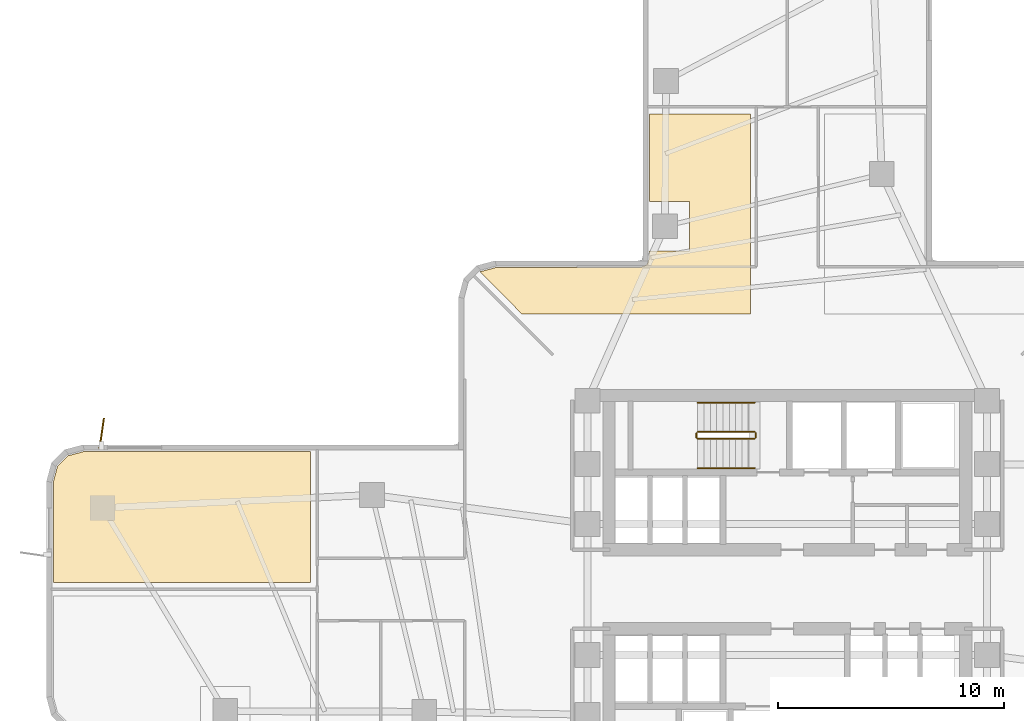
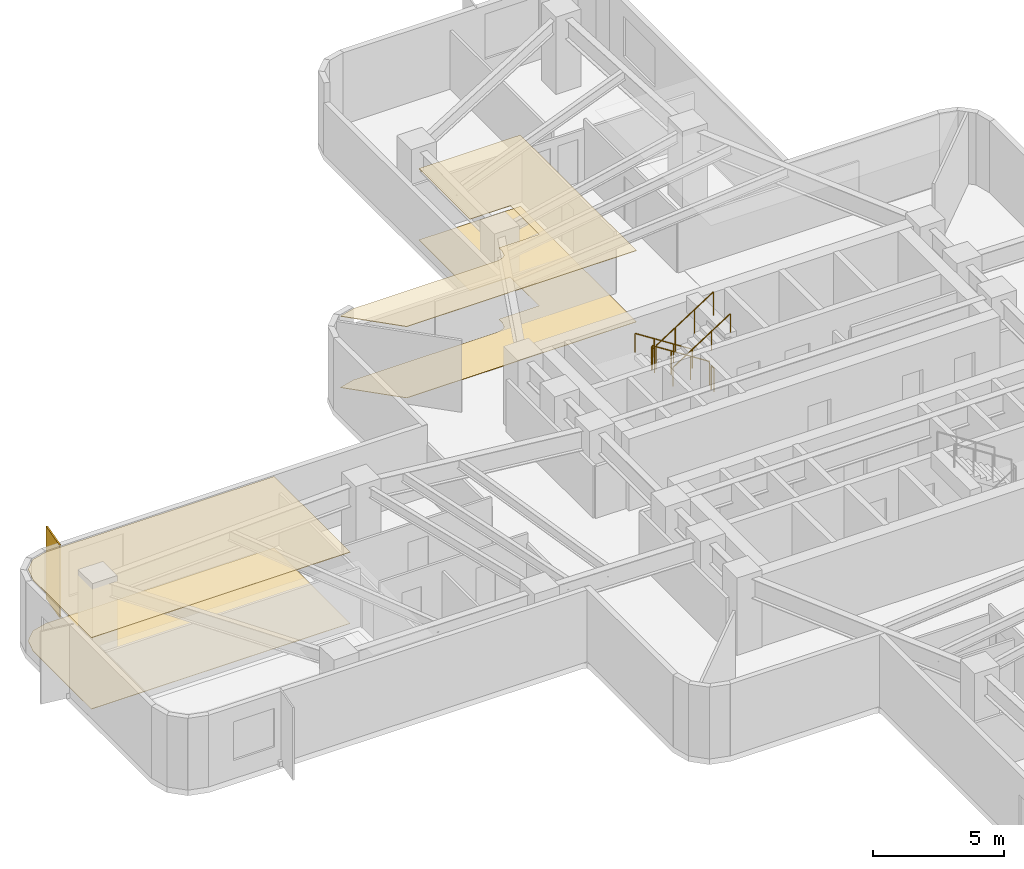
# One storey, part 8 of 9: 6 railings, 4 coverings, 1 shading device.
"""IFC4 building model written with IfcOpenShell, lengths in metres."""

from ifc_helpers import new_model, si_unit, direction, frame, origin, origin_2d, place, context, subcontext, project, spatial, polyline, rectangle, circle, outline, extrude, material, layer, layer_set, type_object, element, save


model = new_model("IFC4")

# Units and contexts
model_context = context("Model", 3, precision=1e-05, world=origin(), true_north=direction((0.0, 1.0)))
body_context = subcontext(model_context, "Body", "Model", "MODEL_VIEW")
ifc_project = project(units=[si_unit("LENGTHUNIT", "METRE"), si_unit("AREAUNIT", "SQUARE_METRE"), si_unit("VOLUMEUNIT", "CUBIC_METRE"), si_unit("PLANEANGLEUNIT", "RADIAN"), si_unit("MASSUNIT", "GRAM", prefix="KILO")], contexts=[model_context])

# Site, building, storey
site_placement = place(None, origin())
site = spatial("IfcSite", under=ifc_project, at=site_placement, CompositionType="ELEMENT")
building_placement = place(site_placement, origin())
building = spatial("IfcBuilding", under=site, at=building_placement, Name="Solmarez Civic Tower", CompositionType="ELEMENT")
storey_placement = place(building_placement, frame((0.0, 0.0, 28.080078125)))
storey = spatial("IfcBuildingStorey", under=building, at=storey_placement, Name="L06", CompositionType="ELEMENT", Elevation=28.080078125)

# Coverings
ifc_material_1 = material(Name="Perforated Mineral-Fibre Acoustic Ceiling")
ifc_layer_1 = layer(ifc_material_1, 0.02490234375)
ifc_layer_set_1 = layer_set([ifc_layer_1], Name="Perforated Mineral-Fibre Acoustic Ceiling")
covering_type_1 = type_object("IfcCoveringType", Name="COV-CEIL-ACOUSTIC", PredefinedType="CEILING", material=ifc_layer_set_1)
covering_1_placement = place(storey_placement, frame((0.0, 0.0, 3.31494140625)))
element("IfcCovering", 1, at=covering_1_placement, inside=storey, type_object=covering_type_1, Name="L06 Suspended Acoustic Ceiling 1", PredefinedType="CEILING", context=body_context, shape_type="SweptSolid", body=[
    extrude(outline(polyline([(-6.10009765625, 21.06005859375), (-6.10009765625, 17.176025390625), (-4.321044921875, 17.176025390625), (-4.321044921875, 14.97607421875), (-6.10009765625, 14.97607421875), (-6.10009765625, 14.75390625), (-6.10205078125, 14.722900390625), (-6.10302734375, 14.716064453125), (-6.10888671875, 14.68701171875), (-6.111083984375, 14.681884765625), (-6.154052734375, 14.51806640625), (-6.1650390625, 14.487060546875), (-6.174072265625, 14.466064453125), (-6.18310546875, 14.447998046875), (-6.193115234375, 14.430908203125), (-6.197021484375, 14.425048828125), (-6.2109375, 14.406005859375), (-6.216064453125, 14.39990234375), (-6.22900390625, 14.385009765625), (-6.235107421875, 14.37890625), (-6.25, 14.365966796875), (-6.256103515625, 14.361083984375), (-6.27490234375, 14.346923828125), (-6.281005859375, 14.343017578125), (-6.298095703125, 14.3330078125), (-6.31591796875, 14.323974609375), (-6.322998046875, 14.321044921875), (-6.330078125, 14.318115234375), (-6.3369140625, 14.31494140625), (-6.367919921875, 14.303955078125), (-6.531982421875, 14.260986328125), (-6.537109375, 14.259033203125), (-6.56591796875, 14.2529296875), (-6.572998046875, 14.251953125), (-6.60400390625, 14.25), (-12.909912109375, 14.25), (-13.594970703125, 14.06689453125), (-13.60009765625, 14.06201171875), (-11.758056640625, 12.199951171875), (-1.639892578125, 12.199951171875), (-1.639892578125, 21.06005859375), (-6.10009765625, 21.06005859375)])), origin(), (0.0, 0.0, 1.0), 0.02490234375),
])
covering_2_placement = place(storey_placement, frame((0.0, 0.0, 3.31494140625)))
element("IfcCovering", 2, at=covering_2_placement, inside=storey, type_object=covering_type_1, Name="L06 Suspended Acoustic Ceiling 4", PredefinedType="CEILING", context=body_context, shape_type="SweptSolid", body=[
    extrude(outline(polyline([(-21.110107421875, 6.10009765625), (-31.159912109375, 6.10009765625), (-31.844970703125, 5.9169921875), (-32.31689453125, 5.445068359375), (-32.5, 4.760009765625), (-32.5, 0.300048828125), (-21.110107421875, 0.300048828125), (-21.110107421875, 6.10009765625)])), origin(), (0.0, 0.0, 1.0), 0.02490234375),
])
ifc_material_2 = material(Name="Polished Tropical Stone Terrazzo Flooring", Category="masonry")
ifc_layer_2 = layer(ifc_material_2, 0.02001953125)
ifc_layer_set_2 = layer_set([ifc_layer_2], Name="Polished Tropical Stone Terrazzo Flooring")
covering_type_2 = type_object("IfcCoveringType", Name="COV-FLOOR-TERRAZZO", PredefinedType="FLOORING", material=ifc_layer_set_2)
covering_3_placement = place(storey_placement, origin())
element("IfcCovering", 3, at=covering_3_placement, inside=storey, type_object=covering_type_2, Name="L06 Terrazzo Floor Finish 1", PredefinedType="FLOORING", context=body_context, shape_type="SweptSolid", body=[
    extrude(outline(polyline([(-6.10009765625, 21.06005859375), (-6.10009765625, 17.176025390625), (-4.321044921875, 17.176025390625), (-4.321044921875, 14.97607421875), (-6.10009765625, 14.97607421875), (-6.10009765625, 14.75390625), (-6.10205078125, 14.722900390625), (-6.10302734375, 14.716064453125), (-6.10888671875, 14.68701171875), (-6.111083984375, 14.681884765625), (-6.154052734375, 14.51806640625), (-6.1650390625, 14.487060546875), (-6.174072265625, 14.466064453125), (-6.18310546875, 14.447998046875), (-6.193115234375, 14.430908203125), (-6.197021484375, 14.425048828125), (-6.2109375, 14.406005859375), (-6.216064453125, 14.39990234375), (-6.22900390625, 14.385009765625), (-6.235107421875, 14.37890625), (-6.25, 14.365966796875), (-6.256103515625, 14.361083984375), (-6.27490234375, 14.346923828125), (-6.281005859375, 14.343017578125), (-6.298095703125, 14.3330078125), (-6.31591796875, 14.323974609375), (-6.322998046875, 14.321044921875), (-6.330078125, 14.318115234375), (-6.3369140625, 14.31494140625), (-6.367919921875, 14.303955078125), (-6.531982421875, 14.260986328125), (-6.537109375, 14.259033203125), (-6.56591796875, 14.2529296875), (-6.572998046875, 14.251953125), (-6.60400390625, 14.25), (-12.909912109375, 14.25), (-13.594970703125, 14.06689453125), (-13.60009765625, 14.06201171875), (-11.758056640625, 12.199951171875), (-1.639892578125, 12.199951171875), (-1.639892578125, 21.06005859375), (-6.10009765625, 21.06005859375)])), origin(), (0.0, 0.0, 1.0), 0.02001953125),
])
covering_4_placement = place(storey_placement, origin())
element("IfcCovering", 4, at=covering_4_placement, inside=storey, type_object=covering_type_2, Name="L06 Terrazzo Floor Finish 4", PredefinedType="FLOORING", context=body_context, shape_type="SweptSolid", body=[
    extrude(outline(polyline([(-21.110107421875, 6.10009765625), (-31.159912109375, 6.10009765625), (-31.844970703125, 5.9169921875), (-32.31689453125, 5.445068359375), (-32.5, 4.760009765625), (-32.5, 0.300048828125), (-21.110107421875, 0.300048828125), (-21.110107421875, 6.10009765625)])), origin(), (0.0, 0.0, 1.0), 0.02001953125),
])

# Shading device
ifc_material_3 = material(Name="Bronze Anodised Aluminium EN AW-6063 T6", Category="aluminium")
ifc_layer_3 = layer(ifc_material_3, 0.06494140625)
ifc_layer_set_3 = layer_set([ifc_layer_3], Name="Bronze Anodised Aluminium EN AW-6063 T6")
shading_device_type = type_object("IfcShadingDeviceType", Name="FIN-BRONZE-Z12", PredefinedType="USERDEFINED", material=ifc_layer_set_3)
shading_device_placement = place(storey_placement, frame((-30.35888671875, 6.905029296875, -0.0400390625), z_axis=(0.0, 0.0, 1.0), x_axis=(0.142024287239, 0.989863173289, 0.0)))
element("IfcShadingDevice", 5, at=shading_device_placement, inside=storey, type_object=shading_device_type, Name="L06 Anodised Bronze Solar Fin FIN-L06-03", ObjectType="FIN", PredefinedType="USERDEFINED", context=body_context, shape_type="SweptSolid", body=[
    extrude(rectangle(XDim=1.35009765625, YDim=0.06494140625, at=origin_2d()), origin(), (0.0, 0.0, 1.0), 3.3798828125),
])

# Railings
ifc_material_4 = material(Name="Painted Steel Stairwell Safety Guard", Category="steel")
railing_type_1 = type_object("IfcRailingType", Name="GUARD-STAIR-1120", PredefinedType="BALUSTRADE", material=ifc_material_4)
railing_1_placement = place(storey_placement, frame((-1.449951171875, 6.969970703125, 0.179931640625)))
element("IfcRailing", 6, at=railing_1_placement, inside=storey, type_object=railing_type_1, Name="L06 ST-1 stair guard 1", PredefinedType="BALUSTRADE", context=body_context, shape_type="SweptSolid", body=[
    extrude(circle(Radius=0.02392578125, at=origin_2d()), frame((0.0, 0.0, 1.09619140625), z_axis=(-0.841199657755, 0.0, 0.540724639528), x_axis=(0.0, -1.0, 0.0)), (0.0, 0.0, 1.0), 2.995849609375),
    extrude(circle(Radius=0.02099609375, at=origin_2d()), origin(), (0.0, 0.0, 1.0), 1.072021484375),
    extrude(circle(Radius=0.02099609375, at=origin_2d()), frame((-0.840087890625, 0.0, 0.5400390625)), (0.0, 0.0, 1.0), 1.072021484375),
    extrude(circle(Radius=0.02099609375, at=origin_2d()), frame((-1.679931640625, 0.0, 1.079833984375)), (0.0, 0.0, 1.0), 1.072021484375),
    extrude(circle(Radius=0.02099609375, at=origin_2d()), frame((-2.52001953125, 0.0, 1.619873046875)), (0.0, 0.0, 1.0), 1.072021484375),
])
railing_2_placement = place(storey_placement, frame((-4.02001953125, 6.919921875, 1.7998046875)))
element("IfcRailing", 7, at=railing_2_placement, inside=storey, type_object=railing_type_1, Name="L06 ST-1 stair guard 2", PredefinedType="BALUSTRADE", context=body_context, shape_type="SweptSolid", body=[
    extrude(circle(Radius=0.02392578125, at=origin_2d()), frame((0.0, 0.0, 1.09619140625), z_axis=(0.0, -1.0, 0.0), x_axis=(1.0, 0.0, 0.0)), (0.0, 0.0, 1.0), 0.199951171875),
    extrude(circle(Radius=0.02099609375, at=origin_2d()), origin(), (0.0, 0.0, 1.0), 1.072021484375),
    extrude(circle(Radius=0.02099609375, at=origin_2d()), frame((0.0, -0.199951171875, 0.0)), (0.0, 0.0, 1.0), 1.072021484375),
])
railing_3_placement = place(storey_placement, frame((-3.969970703125, 6.669921875, 1.97998046875)))
element("IfcRailing", 8, at=railing_3_placement, inside=storey, type_object=railing_type_1, Name="L06 ST-1 stair guard 3", PredefinedType="BALUSTRADE", context=body_context, shape_type="SweptSolid", body=[
    extrude(circle(Radius=0.02392578125, at=origin_2d()), frame((0.0, 0.0, 1.09619140625), z_axis=(0.841199657755, 0.0, 0.540724639528), x_axis=(0.0, 1.0, 0.0)), (0.0, 0.0, 1.0), 2.995849609375),
    extrude(circle(Radius=0.02099609375, at=origin_2d()), origin(), (0.0, 0.0, 1.0), 1.072021484375),
    extrude(circle(Radius=0.02099609375, at=origin_2d()), frame((0.840087890625, 0.0, 0.5400390625)), (0.0, 0.0, 1.0), 1.072021484375),
    extrude(circle(Radius=0.02099609375, at=origin_2d()), frame((1.679931640625, 0.0, 1.079833984375)), (0.0, 0.0, 1.0), 1.072021484375),
    extrude(circle(Radius=0.02099609375, at=origin_2d()), frame((2.52001953125, 0.0, 1.619873046875)), (0.0, 0.0, 1.0), 1.072021484375),
])
railing_4_placement = place(storey_placement, frame((-1.39990234375, 6.919921875, 0.0)))
element("IfcRailing", 9, at=railing_4_placement, inside=storey, type_object=railing_type_1, Name="L06 ST-1 stair guard 4", PredefinedType="BALUSTRADE", context=body_context, shape_type="SweptSolid", body=[
    extrude(circle(Radius=0.02392578125, at=origin_2d()), frame((0.0, 0.0, 1.09619140625), z_axis=(0.0, -1.0, 0.0), x_axis=(1.0, 0.0, 0.0)), (0.0, 0.0, 1.0), 0.199951171875),
    extrude(circle(Radius=0.02099609375, at=origin_2d()), origin(), (0.0, 0.0, 1.0), 1.072021484375),
    extrude(circle(Radius=0.02099609375, at=origin_2d()), frame((0.0, -0.199951171875, 0.0)), (0.0, 0.0, 1.0), 1.072021484375),
])
ifc_material_5 = material(Name="Brushed Stainless Steel Tube Handrail", Category="steel")
railing_type_2 = type_object("IfcRailingType", Name="HANDRAIL-STAIR-900", PredefinedType="HANDRAIL", material=ifc_material_5)
railing_5_placement = place(storey_placement, frame((-1.449951171875, 8.27001953125, 0.179931640625)))
element("IfcRailing", 10, at=railing_5_placement, inside=storey, type_object=railing_type_2, Name="L06 ST-1 stair handrail 1", PredefinedType="HANDRAIL", context=body_context, shape_type="SweptSolid", body=[
    extrude(circle(Radius=0.02392578125, at=origin_2d()), frame((0.0, 0.0, 0.8759765625), z_axis=(-0.841199657755, 0.0, 0.540724639528), x_axis=(0.0, -1.0, 0.0)), (0.0, 0.0, 1.0), 2.995849609375),
    extrude(circle(Radius=0.02099609375, at=origin_2d()), origin(), (0.0, 0.0, 1.0), 0.851806640625),
    extrude(circle(Radius=0.02099609375, at=origin_2d()), frame((-0.840087890625, 0.0, 0.5400390625)), (0.0, 0.0, 1.0), 0.851806640625),
    extrude(circle(Radius=0.02099609375, at=origin_2d()), frame((-1.679931640625, 0.0, 1.079833984375)), (0.0, 0.0, 1.0), 0.851806640625),
    extrude(circle(Radius=0.02099609375, at=origin_2d()), frame((-2.52001953125, 0.0, 1.619873046875)), (0.0, 0.0, 1.0), 0.851806640625),
])
railing_6_placement = place(storey_placement, frame((-3.969970703125, 5.3701171875, 1.97998046875)))
element("IfcRailing", 11, at=railing_6_placement, inside=storey, type_object=railing_type_2, Name="L06 ST-1 stair handrail 2", PredefinedType="HANDRAIL", context=body_context, shape_type="SweptSolid", body=[
    extrude(circle(Radius=0.02392578125, at=origin_2d()), frame((0.0, 0.0, 0.8759765625), z_axis=(0.841199657755, 0.0, 0.540724639528), x_axis=(0.0, 1.0, 0.0)), (0.0, 0.0, 1.0), 2.995849609375),
    extrude(circle(Radius=0.02099609375, at=origin_2d()), origin(), (0.0, 0.0, 1.0), 0.851806640625),
    extrude(circle(Radius=0.02099609375, at=origin_2d()), frame((0.840087890625, 0.0, 0.5400390625)), (0.0, 0.0, 1.0), 0.851806640625),
    extrude(circle(Radius=0.02099609375, at=origin_2d()), frame((1.679931640625, 0.0, 1.079833984375)), (0.0, 0.0, 1.0), 0.851806640625),
    extrude(circle(Radius=0.02099609375, at=origin_2d()), frame((2.52001953125, 0.0, 1.619873046875)), (0.0, 0.0, 1.0), 0.851806640625),
])

save(model, "model.ifc")
